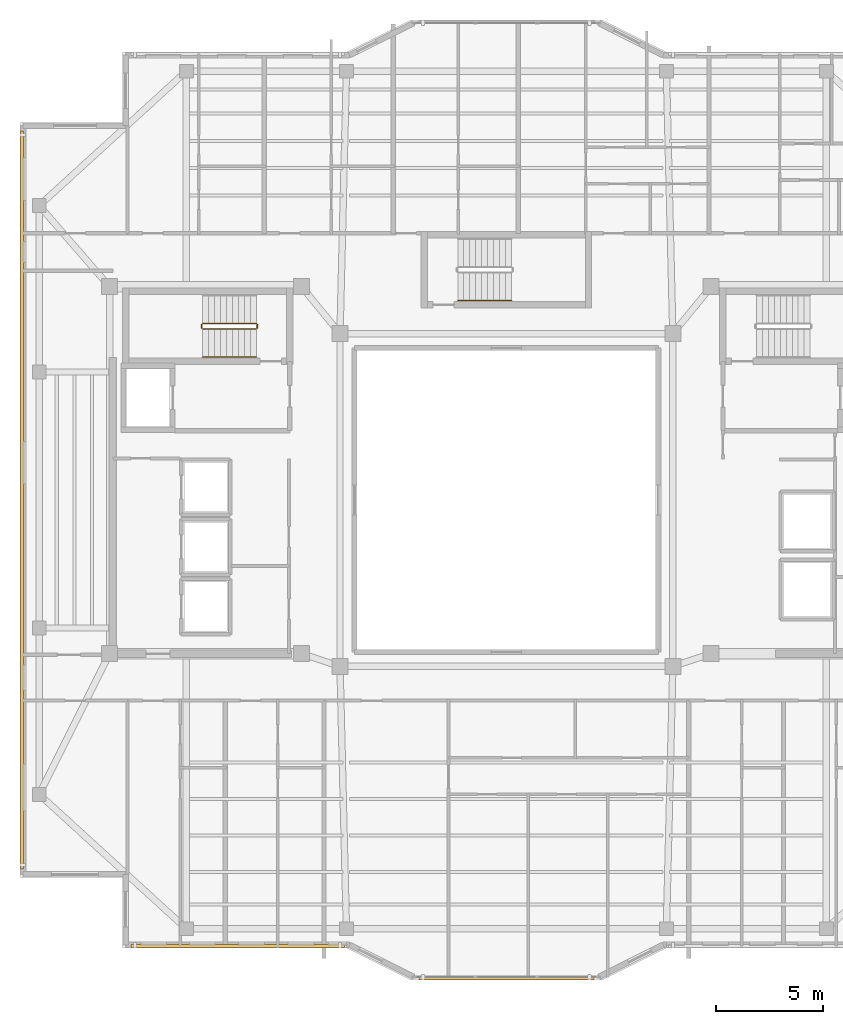
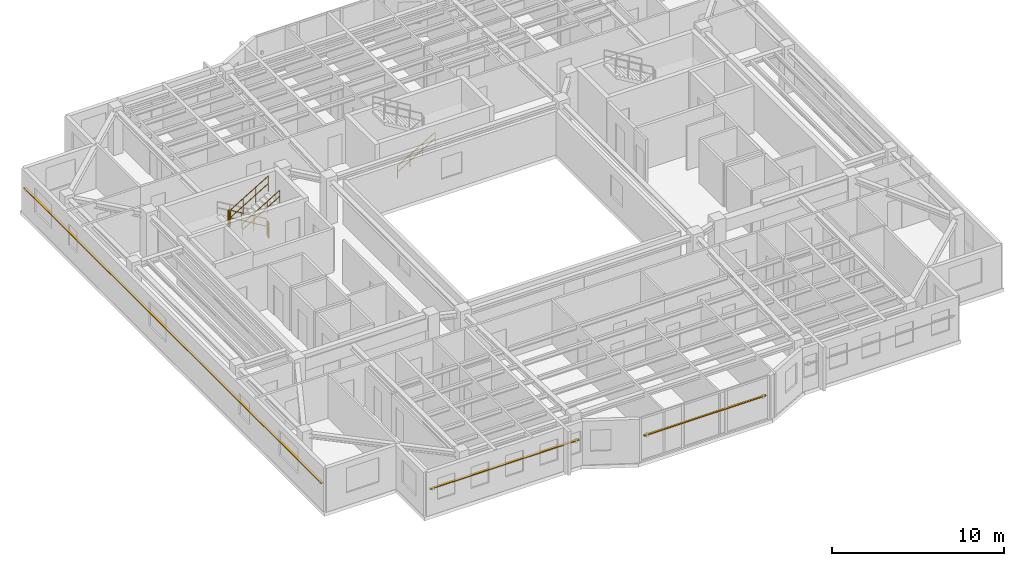
# One storey, part 12 of 14: 6 railings, 3 shading devices.
"""IFC4 building model written with IfcOpenShell, lengths in metres."""

from ifc_helpers import new_model, si_unit, direction, frame, origin, origin_2d, place, context, subcontext, project, spatial, rectangle, circle, extrude, material, material_profile, profile_set, type_object, element, save


model = new_model("IFC4")

# Units and contexts
model_context = context("Model", 3, precision=1e-05, world=origin(), true_north=direction((0.0, 1.0)))
body_context = subcontext(model_context, "Body", "Model", "MODEL_VIEW")
ifc_project = project(units=[si_unit("LENGTHUNIT", "METRE"), si_unit("AREAUNIT", "SQUARE_METRE"), si_unit("VOLUMEUNIT", "CUBIC_METRE"), si_unit("PLANEANGLEUNIT", "RADIAN"), si_unit("MASSUNIT", "GRAM", prefix="KILO")], contexts=[model_context])

# Site, building, storey
site_placement = place(None, origin())
site = spatial("IfcSite", under=ifc_project, at=site_placement, CompositionType="ELEMENT")
building_placement = place(site_placement, origin())
building = spatial("IfcBuilding", under=site, at=building_placement, Name="Tarnavaz Court Tower", CompositionType="ELEMENT")
storey_placement = place(building_placement, frame((0.0, 0.0, 264.949951171875)))
storey = spatial("IfcBuildingStorey", under=building, at=storey_placement, Name="L72", CompositionType="ELEMENT", Elevation=264.949951171875)

# Railings
ifc_material_1 = material(Name="Brushed Stainless Steel", Category="steel")
railing_type_1 = type_object("IfcRailingType", Name="RL-HANDRAIL-900", PredefinedType="HANDRAIL", material=ifc_material_1)
for number, where, name in (
    (1, (-14.239990234375, 6.699951171875, 1.842529296875), "L72 ST-W1 stair handrail 2"),
    (2, (-2.280029296875, 9.35009765625, 0.16748046875), "L72 ST-N1 stair handrail 1"),
):
    element("IfcRailing", number, at=place(storey_placement, frame(where)), inside=storey, type_object=railing_type_1, Name=name, PredefinedType="HANDRAIL", context=body_context, shape_type="SweptSolid", body=[
        extrude(circle(Radius=0.02392578125, at=origin_2d()), frame((0.0, 0.0, 0.8759765625), z_axis=(0.858159760407, 0.0, 0.513382728203), x_axis=(0.0, 1.0, 0.0)), (0.0, 0.0, 1.0), 2.9365234375),
        extrude(circle(Radius=0.02392578125, at=origin_2d()), frame((0.0, 0.0, 0.449951171875), z_axis=(0.858159760407, 0.0, 0.513382728203), x_axis=(0.0, 1.0, 0.0)), (0.0, 0.0, 1.0), 2.9365234375),
        extrude(circle(Radius=0.02099609375, at=origin_2d()), origin(), (0.0, 0.0, 1.0), 0.851806640625),
        extrude(circle(Radius=0.02099609375, at=origin_2d()), frame((0.840087890625, 0.0, 0.50244140625)), (0.0, 0.0, 1.0), 0.851806640625),
        extrude(circle(Radius=0.02099609375, at=origin_2d()), frame((1.679931640625, 0.0, 1.005126953125)), (0.0, 0.0, 1.0), 0.851806640625),
        extrude(circle(Radius=0.02099609375, at=origin_2d()), frame((2.52001953125, 0.0, 1.507568359375)), (0.0, 0.0, 1.0), 0.851806640625),
    ])
ifc_material_2 = material(Name="Galvanized Painted Tubular Steel", Category="steel")
railing_type_2 = type_object("IfcRailingType", Name="RL-STGUARD-1120", PredefinedType="GUARDRAIL", material=ifc_material_2)
railing_1_placement = place(storey_placement, frame((-11.719970703125, 8.27001953125, 0.16748046875)))
element("IfcRailing", 3, at=railing_1_placement, inside=storey, type_object=railing_type_2, Name="L72 ST-W1 stair guard 1", PredefinedType="GUARDRAIL", context=body_context, shape_type="SweptSolid", body=[
    extrude(circle(Radius=0.02392578125, at=origin_2d()), frame((0.0, 0.0, 1.09619140625), z_axis=(-0.858159760407, 0.0, 0.513382728203), x_axis=(0.0, -1.0, 0.0)), (0.0, 0.0, 1.0), 2.9365234375),
    extrude(circle(Radius=0.02392578125, at=origin_2d()), frame((0.0, 0.0, 0.56005859375), z_axis=(-0.858159760407, 0.0, 0.513382728203), x_axis=(0.0, -1.0, 0.0)), (0.0, 0.0, 1.0), 2.9365234375),
    extrude(circle(Radius=0.02099609375, at=origin_2d()), origin(), (0.0, 0.0, 1.0), 1.072021484375),
    extrude(circle(Radius=0.02099609375, at=origin_2d()), frame((-0.840087890625, 0.0, 0.50244140625)), (0.0, 0.0, 1.0), 1.072021484375),
    extrude(circle(Radius=0.02099609375, at=origin_2d()), frame((-1.679931640625, 0.0, 1.005126953125)), (0.0, 0.0, 1.0), 1.072021484375),
    extrude(circle(Radius=0.02099609375, at=origin_2d()), frame((-2.52001953125, 0.0, 1.507568359375)), (0.0, 0.0, 1.0), 1.072021484375),
])
railing_2_placement = place(storey_placement, frame((-14.2900390625, 8.219970703125, 1.675048828125)))
element("IfcRailing", 4, at=railing_2_placement, inside=storey, type_object=railing_type_2, Name="L72 ST-W1 stair guard 2", PredefinedType="GUARDRAIL", context=body_context, shape_type="SweptSolid", body=[
    extrude(circle(Radius=0.02392578125, at=origin_2d()), frame((0.0, 0.0, 1.09619140625), z_axis=(0.0, -1.0, 0.0), x_axis=(1.0, 0.0, 0.0)), (0.0, 0.0, 1.0), 0.14990234375),
    extrude(circle(Radius=0.02392578125, at=origin_2d()), frame((0.0, 0.0, 0.56005859375), z_axis=(0.0, -1.0, 0.0), x_axis=(1.0, 0.0, 0.0)), (0.0, 0.0, 1.0), 0.14990234375),
    extrude(circle(Radius=0.02099609375, at=origin_2d()), origin(), (0.0, 0.0, 1.0), 1.072021484375),
    extrude(circle(Radius=0.02099609375, at=origin_2d()), frame((0.0, -0.14990234375, 0.0)), (0.0, 0.0, 1.0), 1.072021484375),
])
railing_3_placement = place(storey_placement, frame((-14.239990234375, 8.02001953125, 1.842529296875)))
element("IfcRailing", 5, at=railing_3_placement, inside=storey, type_object=railing_type_2, Name="L72 ST-W1 stair guard 3", PredefinedType="GUARDRAIL", context=body_context, shape_type="SweptSolid", body=[
    extrude(circle(Radius=0.02392578125, at=origin_2d()), frame((0.0, 0.0, 1.09619140625), z_axis=(0.858159760407, 0.0, 0.513382728203), x_axis=(0.0, 1.0, 0.0)), (0.0, 0.0, 1.0), 2.9365234375),
    extrude(circle(Radius=0.02392578125, at=origin_2d()), frame((0.0, 0.0, 0.56005859375), z_axis=(0.858159760407, 0.0, 0.513382728203), x_axis=(0.0, 1.0, 0.0)), (0.0, 0.0, 1.0), 2.9365234375),
    extrude(circle(Radius=0.02099609375, at=origin_2d()), origin(), (0.0, 0.0, 1.0), 1.072021484375),
    extrude(circle(Radius=0.02099609375, at=origin_2d()), frame((0.840087890625, 0.0, 0.50244140625)), (0.0, 0.0, 1.0), 1.072021484375),
    extrude(circle(Radius=0.02099609375, at=origin_2d()), frame((1.679931640625, 0.0, 1.005126953125)), (0.0, 0.0, 1.0), 1.072021484375),
    extrude(circle(Radius=0.02099609375, at=origin_2d()), frame((2.52001953125, 0.0, 1.507568359375)), (0.0, 0.0, 1.0), 1.072021484375),
])
railing_4_placement = place(storey_placement, frame((-11.669921875, 8.219970703125, 0.0)))
element("IfcRailing", 6, at=railing_4_placement, inside=storey, type_object=railing_type_2, Name="L72 ST-W1 stair guard 4", PredefinedType="GUARDRAIL", context=body_context, shape_type="SweptSolid", body=[
    extrude(circle(Radius=0.02392578125, at=origin_2d()), frame((0.0, 0.0, 1.09619140625), z_axis=(0.0, -1.0, 0.0), x_axis=(1.0, 0.0, 0.0)), (0.0, 0.0, 1.0), 0.14990234375),
    extrude(circle(Radius=0.02392578125, at=origin_2d()), frame((0.0, 0.0, 0.56005859375), z_axis=(0.0, -1.0, 0.0), x_axis=(1.0, 0.0, 0.0)), (0.0, 0.0, 1.0), 0.14990234375),
    extrude(circle(Radius=0.02099609375, at=origin_2d()), origin(), (0.0, 0.0, 1.0), 1.072021484375),
    extrude(circle(Radius=0.02099609375, at=origin_2d()), frame((0.0, -0.14990234375, 0.0)), (0.0, 0.0, 1.0), 1.072021484375),
])

# Shading devices
ifc_material_3 = material(Name="Kiln-Fired Khorasan Terracotta Ceramic", Category="masonry")
ifc_material_profile_1 = material_profile(ifc_material_3, rectangle(XDim=0.1201171875, YDim=0.06005859375, at=origin_2d()), Name="TC BAGUETTE 120X60")
ifc_profile_set_1 = profile_set([ifc_material_profile_1], Name="Kiln-Fired Khorasan Terracotta Ceramic")
shading_device_type_1 = type_object("IfcShadingDeviceType", Name="SD-BAG-120", PredefinedType="USERDEFINED", material=ifc_profile_set_1)
shading_device_1_placement = place(storey_placement, frame((4.10009765625, -22.409912109375, 1.800048828125), z_axis=(-1.0, 0.0, 0.0), x_axis=(0.0, -1.0, 0.0)))
element("IfcShadingDevice", 7, at=shading_device_1_placement, inside=storey, type_object=shading_device_type_1, Name="L72 Terracotta Baguette Screen PBG17", ObjectType="BAGUETTE", PredefinedType="USERDEFINED", context=body_context, shape_type="SweptSolid", body=[
    extrude(rectangle(XDim=0.1201171875, YDim=0.06005859375, at=origin_2d()), origin(), (0.0, 0.0, 1.0), 8.2001953125),
])
ifc_material_profile_2 = material_profile(ifc_material_3, rectangle(XDim=0.14990234375, YDim=0.06494140625, at=origin_2d()), Name="TC BAGUETTE 150X65")
ifc_profile_set_2 = profile_set([ifc_material_profile_2], Name="Kiln-Fired Khorasan Terracotta Ceramic")
shading_device_type_2 = type_object("IfcShadingDeviceType", Name="SD-BAG-150", PredefinedType="USERDEFINED", material=ifc_profile_set_2)
shading_device_2_placement = place(storey_placement, frame((-22.7099609375, -17.300048828125, 1.85009765625), z_axis=(0.0, 1.0, 0.0), x_axis=(-1.0, 0.0, 0.0)))
element("IfcShadingDevice", 8, at=shading_device_2_placement, inside=storey, type_object=shading_device_type_2, Name="L72 Terracotta Baguette Screen FBG02", ObjectType="BAGUETTE", PredefinedType="USERDEFINED", context=body_context, shape_type="SweptSolid", body=[
    extrude(rectangle(XDim=0.14990234375, YDim=0.06494140625, at=origin_2d()), origin(), (0.0, 0.0, 1.0), 34.60009765625),
])
shading_device_3_placement = place(storey_placement, frame((-7.60009765625, -20.909912109375, 1.85009765625), z_axis=(-1.0, 0.0, 0.0), x_axis=(0.0, -1.0, 0.0)))
element("IfcShadingDevice", 9, at=shading_device_3_placement, inside=storey, type_object=shading_device_type_2, Name="L72 Terracotta Baguette Screen FBG19", ObjectType="BAGUETTE", PredefinedType="USERDEFINED", context=body_context, shape_type="SweptSolid", body=[
    extrude(rectangle(XDim=0.14990234375, YDim=0.06494140625, at=origin_2d()), origin(), (0.0, 0.0, 1.0), 10.0),
])

save(model, "model.ifc")
